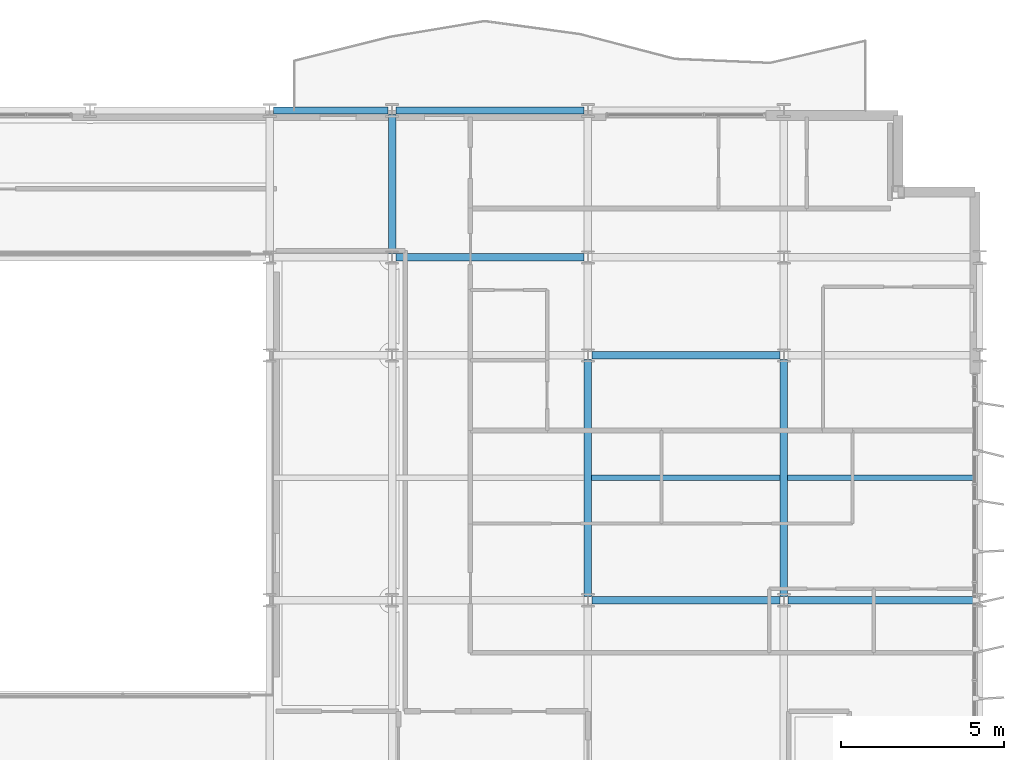
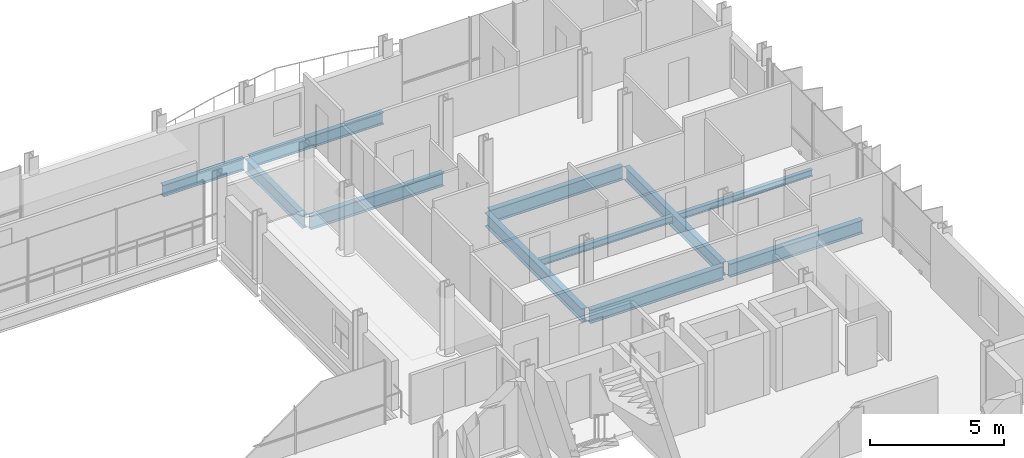
# One storey, part 20 of 38: 11 beams.
"""IFC4 building model written with IfcOpenShell, lengths in metres."""

from ifc_helpers import new_model, si_unit, direction, frame, origin, origin_2d, place, context, subcontext, project, spatial, i_section, extrude, material, material_profile, profile_set, type_object, element, save


model = new_model("IFC4")

# Units and contexts
model_context = context("Model", 3, precision=1e-05, world=origin(), true_north=direction((0.0, 1.0)))
body_context = subcontext(model_context, "Body", "Model", "MODEL_VIEW")
ifc_project = project(units=[si_unit("LENGTHUNIT", "METRE"), si_unit("AREAUNIT", "SQUARE_METRE"), si_unit("VOLUMEUNIT", "CUBIC_METRE"), si_unit("PLANEANGLEUNIT", "RADIAN"), si_unit("MASSUNIT", "GRAM", prefix="KILO")], contexts=[model_context])

# Site, building, storey
site_placement = place(None, origin())
site = spatial("IfcSite", under=ifc_project, at=site_placement, CompositionType="ELEMENT")
building_placement = place(site_placement, origin())
building = spatial("IfcBuilding", under=site, at=building_placement, Name="Brevholm Reach", CompositionType="ELEMENT")
storey_placement = place(building_placement, frame((0.0, 0.0, 141.800048828125)))
storey = spatial("IfcBuildingStorey", under=building, at=storey_placement, Name="L42", CompositionType="ELEMENT", Elevation=141.800048828125)

# Beams
ifc_material_1 = material(Name="Structural Steel S355J2", Category="steel")
ifc_material_profile_1 = material_profile(ifc_material_1, i_section(OverallWidth=0.1650390625, OverallDepth=0.303466796875, WebThickness=0.006103515625, FlangeThickness=0.01025390625, FilletRadius=0.0087890625, at=origin_2d()), Name="UKB 305x165x40")
ifc_profile_set_1 = profile_set([ifc_material_profile_1], Name="Structural Steel S355J2")
beam_type_1 = type_object("IfcBeamType", Name="BM-B305", PredefinedType="BEAM", material=ifc_profile_set_1)
beam_1_placement = place(storey_placement, frame((48.114501953125, 19.75, -0.371826171875), z_axis=(1.0, 0.0, 0.0), x_axis=(0.0, 1.0, 0.0)))
element("IfcBeam", 1, at=beam_1_placement, inside=storey, type_object=beam_type_1, Name="L42 Composite Secondary Floor Beam", PredefinedType="BEAM", context=body_context, shape_type="SweptSolid", body=[
    extrude(i_section(OverallWidth=0.1650390625, OverallDepth=0.303466796875, WebThickness=0.006103515625, FlangeThickness=0.01025390625, FilletRadius=0.0087890625, at=origin_2d()), origin(), (0.0, 0.0, 1.0), 5.77099609375),
])
beam_2_placement = place(storey_placement, frame((54.114501953125, 19.75, -0.371826171875), z_axis=(1.0, 0.0, 0.0), x_axis=(0.0, 1.0, 0.0)))
element("IfcBeam", 2, at=beam_2_placement, inside=storey, type_object=beam_type_1, Name="L42 Composite Secondary Floor Beam", PredefinedType="BEAM", context=body_context, shape_type="SweptSolid", body=[
    extrude(i_section(OverallWidth=0.1650390625, OverallDepth=0.303466796875, WebThickness=0.006103515625, FlangeThickness=0.01025390625, FilletRadius=0.0087890625, at=origin_2d()), origin(), (0.0, 0.0, 1.0), 5.78076171875),
])
ifc_material_2 = material(Name="Structural Steel S355J2", Category="steel")
ifc_material_profile_2 = material_profile(ifc_material_2, i_section(OverallWidth=0.209228515625, OverallDepth=0.533203125, WebThickness=0.010009765625, FlangeThickness=0.015625, FilletRadius=0.0126953125, at=origin_2d()), Name="UKB 533x210x92")
ifc_profile_set_2 = profile_set([ifc_material_profile_2], Name="Structural Steel S355J2")
beam_type_2 = type_object("IfcBeamType", Name="BM-SP533", PredefinedType="SPANDREL", material=ifc_profile_set_2)
beam_3_placement = place(storey_placement, frame((38.3701171875, 31.0, -0.486572265625), z_axis=(1.0, 0.0, 0.0), x_axis=(0.0, 1.0, 0.0)))
element("IfcBeam", 3, at=beam_3_placement, inside=storey, type_object=beam_type_2, Name="L42 SP-02 Framing Beam", PredefinedType="SPANDREL", context=body_context, shape_type="SweptSolid", body=[
    extrude(i_section(OverallWidth=0.209228515625, OverallDepth=0.533203125, WebThickness=0.010009765625, FlangeThickness=0.015625, FilletRadius=0.0126953125, at=origin_2d()), origin(), (0.0, 0.0, 1.0), 3.509765625),
])
beam_4_placement = place(storey_placement, frame((42.1201171875, 31.0, -0.486572265625), z_axis=(1.0, 0.0, 0.0), x_axis=(0.0, 1.0, 0.0)))
element("IfcBeam", 4, at=beam_4_placement, inside=storey, type_object=beam_type_2, Name="L42 SP-02 Framing Beam", PredefinedType="SPANDREL", context=body_context, shape_type="SweptSolid", body=[
    extrude(i_section(OverallWidth=0.209228515625, OverallDepth=0.533203125, WebThickness=0.010009765625, FlangeThickness=0.015625, FilletRadius=0.0126953125, at=origin_2d()), origin(), (0.0, 0.0, 1.0), 5.759765625),
])
ifc_material_3 = material(Name="Structural Steel S355J2", Category="steel")
ifc_material_profile_3 = material_profile(ifc_material_3, i_section(OverallWidth=0.22900390625, OverallDepth=0.6123046875, WebThickness=0.011962890625, FlangeThickness=0.01953125, FilletRadius=0.0126953125, at=origin_2d()), Name="UKB 610x229x125")
ifc_profile_set_3 = profile_set([ifc_material_profile_3], Name="Structural Steel S355J2")
beam_type_3 = type_object("IfcBeamType", Name="BM-SP610", PredefinedType="SPANDREL", material=ifc_profile_set_3)
for number, where, z_axis, x_axis, name in (
    (5, (48.1201171875, 16.0, -0.526123046875), (1.0, 0.0, 0.0), (0.0, 1.0, 0.0), "L42 SP-01 Framing Beam"),
    (6, (54.1201171875, 16.0, -0.526123046875), (1.0, 0.0, 0.0), (0.0, 1.0, 0.0), "L42 SP-01 Framing Beam"),
    (7, (48.1201171875, 23.5, -0.526123046875), (1.0, 0.0, 0.0), (0.0, 1.0, 0.0), "L42 SP-01 Framing Beam"),
    (8, (42.1201171875, 26.5, -0.526123046875), (1.0, 0.0, 0.0), (0.0, 1.0, 0.0), "L42 SP-01 Framing Beam"),
):
    element("IfcBeam", number, at=place(storey_placement, frame(where, z_axis=z_axis, x_axis=x_axis)), inside=storey, type_object=beam_type_3, Name=name, PredefinedType="SPANDREL", context=body_context, shape_type="SweptSolid", body=[
        extrude(i_section(OverallWidth=0.22900390625, OverallDepth=0.6123046875, WebThickness=0.011962890625, FlangeThickness=0.01953125, FilletRadius=0.0126953125, at=origin_2d()), origin(), (0.0, 0.0, 1.0), 5.759765625),
    ])
beam_5_placement = place(storey_placement, frame((42.0, 26.6201171875, -0.526123046875), z_axis=(0.0, 1.0, 0.0), x_axis=(-1.0, 0.0, 0.0)))
element("IfcBeam", 9, at=beam_5_placement, inside=storey, type_object=beam_type_3, Name="L42 SP-01 Framing Beam", PredefinedType="SPANDREL", context=body_context, shape_type="SweptSolid", body=[
    extrude(i_section(OverallWidth=0.22900390625, OverallDepth=0.6123046875, WebThickness=0.011962890625, FlangeThickness=0.01953125, FilletRadius=0.0126953125, at=origin_2d()), origin(), (0.0, 0.0, 1.0), 4.259765625),
])
for number, where, z_axis, x_axis, name in (
    (10, (48.0, 16.1201171875, -0.526123046875), (0.0, 1.0, 0.0), (-1.0, 0.0, 0.0), "L42 SP-01 Framing Beam"),
    (11, (54.0, 16.1201171875, -0.526123046875), (0.0, 1.0, 0.0), (-1.0, 0.0, 0.0), "L42 SP-01 Framing Beam"),
):
    element("IfcBeam", number, at=place(storey_placement, frame(where, z_axis=z_axis, x_axis=x_axis)), inside=storey, type_object=beam_type_3, Name=name, PredefinedType="SPANDREL", context=body_context, shape_type="SweptSolid", body=[
        extrude(i_section(OverallWidth=0.22900390625, OverallDepth=0.6123046875, WebThickness=0.011962890625, FlangeThickness=0.01953125, FilletRadius=0.0126953125, at=origin_2d()), origin(), (0.0, 0.0, 1.0), 7.259765625),
    ])

save(model, "model.ifc")
